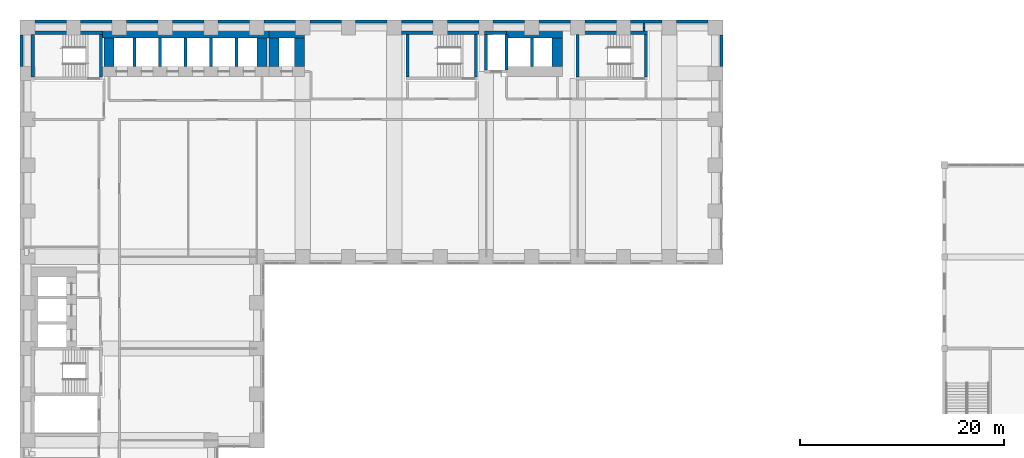
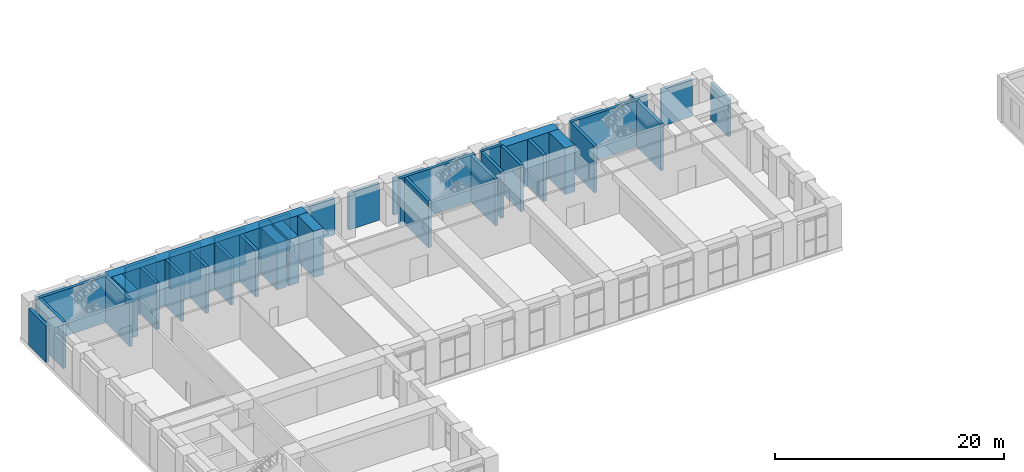
# One storey, part 24 of 34: 45 walls.
"""IFC4 building model written with IfcOpenShell, lengths in metres."""

from ifc_helpers import new_model, si_unit, direction, frame, frame_2d, origin, place, context, subcontext, project, spatial, rectangle, extrude, material, layer, layer_set, type_object, element, save


model = new_model("IFC4")

# Units and contexts
model_context = context("Model", 3, precision=1e-05, world=origin(), true_north=direction((0.0, 1.0)))
body_context = subcontext(model_context, "Body", "Model", "MODEL_VIEW")
ifc_project = project(units=[si_unit("LENGTHUNIT", "METRE"), si_unit("AREAUNIT", "SQUARE_METRE"), si_unit("VOLUMEUNIT", "CUBIC_METRE"), si_unit("PLANEANGLEUNIT", "RADIAN"), si_unit("MASSUNIT", "GRAM", prefix="KILO")], contexts=[model_context])

# Site, building, storey
site_placement = place(None, origin())
site = spatial("IfcSite", under=ifc_project, at=site_placement, CompositionType="ELEMENT")
building_placement = place(site_placement, origin())
building = spatial("IfcBuilding", under=site, at=building_placement, Name="Firuza Court", CompositionType="ELEMENT")
storey_placement = place(building_placement, frame((0.0, 0.0, 19.0)))
storey = spatial("IfcBuildingStorey", under=building, at=storey_placement, Name="L03", CompositionType="ELEMENT", Elevation=19.0)

# Walls
ifc_material_1 = material(Name="Concrete C60/75", Category="concrete")
ifc_layer_1 = layer(ifc_material_1, 1.0)
ifc_layer_set_1 = layer_set([ifc_layer_1], Name="Concrete C60/75")
wall_type_1 = type_object("IfcWallType", Name="Core wall 1000 C60/75", PredefinedType="SHEAR", material=ifc_layer_set_1)
wall_1_placement = place(storey_placement, frame((7.35009765625, 58.0, -0.39990234375), z_axis=(0.0, 0.0, 1.0), x_axis=(1.0, 0.0, 0.0)))
element("IfcWall", 1, at=wall_1_placement, inside=storey, type_object=wall_type_1, Name="Core wall lift shaft L03", PredefinedType="SHEAR", context=body_context, shape_type="SweptSolid", body=[
    extrude(rectangle(XDim=16.349853515625, YDim=1.0, at=frame_2d((8.1748046875, 0.0))), origin(), (0.0, 0.0, 1.0), 4.949951171875),
])
for number, where, z_axis, x_axis, name in (
    (2, (8.0, 54.699951171875, -0.39990234375), (0.0, 0.0, 1.0), (0.0, 1.0, 0.0), "Core wall lift shaft L03"),
    (3, (23.0, 54.699951171875, -0.39990234375), (0.0, 0.0, 1.0), (0.0, 1.0, 0.0), "Core wall lift shaft L03"),
):
    element("IfcWall", number, at=place(storey_placement, frame(where, z_axis=z_axis, x_axis=x_axis)), inside=storey, type_object=wall_type_1, Name=name, PredefinedType="SHEAR", context=body_context, shape_type="SweptSolid", body=[
        extrude(rectangle(XDim=2.800048828125, YDim=1.0, at=frame_2d((1.39990234375, 0.0))), origin(), (0.0, 0.0, 1.0), 4.949951171875),
    ])
wall_2_placement = place(storey_placement, frame((23.699951171875, 58.0, -0.39990234375), z_axis=(0.0, 0.0, 1.0), x_axis=(1.0, 0.0, 0.0)))
element("IfcWall", 4, at=wall_2_placement, inside=storey, type_object=wall_type_1, Name="Core wall lift shaft L03", PredefinedType="SHEAR", context=body_context, shape_type="SweptSolid", body=[
    extrude(rectangle(XDim=3.5, YDim=1.0, at=frame_2d((1.75, 0.0))), origin(), (0.0, 0.0, 1.0), 4.949951171875),
])
for number, where, z_axis, x_axis, name in (
    (5, (24.199951171875, 54.699951171875, -0.39990234375), (0.0, 0.0, 1.0), (0.0, 1.0, 0.0), "Core wall lift shaft L03"),
    (6, (26.699951171875, 54.699951171875, -0.39990234375), (0.0, 0.0, 1.0), (0.0, 1.0, 0.0), "Core wall lift shaft L03"),
):
    element("IfcWall", number, at=place(storey_placement, frame(where, z_axis=z_axis, x_axis=x_axis)), inside=storey, type_object=wall_type_1, Name=name, PredefinedType="SHEAR", context=body_context, shape_type="SweptSolid", body=[
        extrude(rectangle(XDim=2.800048828125, YDim=1.0, at=frame_2d((1.39990234375, 0.0))), origin(), (0.0, 0.0, 1.0), 4.949951171875),
    ])
wall_3_placement = place(storey_placement, frame((47.0, 58.0, -0.39990234375), z_axis=(0.0, 0.0, 1.0), x_axis=(1.0, 0.0, 0.0)))
element("IfcWall", 7, at=wall_3_placement, inside=storey, type_object=wall_type_1, Name="Core wall lift shaft L03", PredefinedType="SHEAR", context=body_context, shape_type="SweptSolid", body=[
    extrude(rectangle(XDim=5.5, YDim=1.0, at=frame_2d((2.75, 0.0))), origin(), (0.0, 0.0, 1.0), 4.949951171875),
])
wall_4_placement = place(storey_placement, frame((52.0, 54.699951171875, -0.39990234375), z_axis=(0.0, 0.0, 1.0), x_axis=(0.0, 1.0, 0.0)))
element("IfcWall", 8, at=wall_4_placement, inside=storey, type_object=wall_type_1, Name="Core wall lift shaft L03", PredefinedType="SHEAR", context=body_context, shape_type="SweptSolid", body=[
    extrude(rectangle(XDim=2.800048828125, YDim=1.0, at=frame_2d((1.39990234375, 0.0))), origin(), (0.0, 0.0, 1.0), 4.949951171875),
])
ifc_layer_2 = layer(ifc_material_1, 0.300048828125)
ifc_layer_set_2 = layer_set([ifc_layer_2], Name="Concrete C60/75")
wall_type_2 = type_object("IfcWallType", Name="Core wall 300 C60/75", PredefinedType="SHEAR", material=ifc_layer_set_2)
wall_5_placement = place(storey_placement, frame((0.35009765625, 58.0, -0.39990234375), z_axis=(0.0, 0.0, 1.0), x_axis=(1.0, 0.0, 0.0)))
element("IfcWall", 9, at=wall_5_placement, inside=storey, type_object=wall_type_2, Name="Core wall stair L03", PredefinedType="SHEAR", context=body_context, shape_type="SweptSolid", body=[
    extrude(rectangle(XDim=7.0, YDim=0.300048828125, at=frame_2d((3.5, 0.0))), origin(), (0.0, 0.0, 1.0), 4.949951171875),
])
for number, where, z_axis, x_axis, name in (
    (10, (0.5, 53.64990234375, -0.39990234375), (0.0, 0.0, 1.0), (0.0, 1.0, 0.0), "Core wall stair L03"),
    (11, (7.199951171875, 53.64990234375, -0.39990234375), (0.0, 0.0, 1.0), (0.0, 1.0, 0.0), "Core wall stair L03"),
):
    element("IfcWall", number, at=place(storey_placement, frame(where, z_axis=z_axis, x_axis=x_axis)), inside=storey, type_object=wall_type_2, Name=name, PredefinedType="SHEAR", context=body_context, shape_type="SweptSolid", body=[
        extrude(rectangle(XDim=4.2001953125, YDim=0.300048828125, at=frame_2d((2.10009765625, 0.0))), origin(), (0.0, 0.0, 1.0), 4.949951171875),
    ])
for number, where, z_axis, x_axis, name in (
    (12, (10.5, 54.699951171875, -0.39990234375), (0.0, 0.0, 1.0), (0.0, 1.0, 0.0), "Core wall lift shaft L03"),
    (13, (13.0, 54.699951171875, -0.39990234375), (0.0, 0.0, 1.0), (0.0, 1.0, 0.0), "Core wall lift shaft L03"),
    (14, (15.5, 54.699951171875, -0.39990234375), (0.0, 0.0, 1.0), (0.0, 1.0, 0.0), "Core wall lift shaft L03"),
    (15, (18.0, 54.699951171875, -0.39990234375), (0.0, 0.0, 1.0), (0.0, 1.0, 0.0), "Core wall lift shaft L03"),
    (16, (20.5, 54.699951171875, -0.39990234375), (0.0, 0.0, 1.0), (0.0, 1.0, 0.0), "Core wall lift shaft L03"),
):
    element("IfcWall", number, at=place(storey_placement, frame(where, z_axis=z_axis, x_axis=x_axis)), inside=storey, type_object=wall_type_2, Name=name, PredefinedType="SHEAR", context=body_context, shape_type="SweptSolid", body=[
        extrude(rectangle(XDim=2.800048828125, YDim=0.300048828125, at=frame_2d((1.39990234375, 0.0))), origin(), (0.0, 0.0, 1.0), 4.949951171875),
    ])
wall_6_placement = place(storey_placement, frame((36.699951171875, 58.0, -0.39990234375), z_axis=(0.0, 0.0, 1.0), x_axis=(1.0, 0.0, 0.0)))
element("IfcWall", 17, at=wall_6_placement, inside=storey, type_object=wall_type_2, Name="Core wall stair L03", PredefinedType="SHEAR", context=body_context, shape_type="SweptSolid", body=[
    extrude(rectangle(XDim=7.60009765625, YDim=0.300048828125, at=frame_2d((3.800048828125, 0.0))), origin(), (0.0, 0.0, 1.0), 4.949951171875),
])
for number, where, z_axis, x_axis, name in (
    (18, (37.300048828125, 53.64990234375, -0.39990234375), (0.0, 0.0, 1.0), (0.0, 1.0, 0.0), "Core wall stair L03"),
    (19, (44.0, 53.64990234375, -0.39990234375), (0.0, 0.0, 1.0), (0.0, 1.0, 0.0), "Core wall stair L03"),
):
    element("IfcWall", number, at=place(storey_placement, frame(where, z_axis=z_axis, x_axis=x_axis)), inside=storey, type_object=wall_type_2, Name=name, PredefinedType="SHEAR", context=body_context, shape_type="SweptSolid", body=[
        extrude(rectangle(XDim=4.2001953125, YDim=0.300048828125, at=frame_2d((2.10009765625, 0.0))), origin(), (0.0, 0.0, 1.0), 4.949951171875),
    ])
wall_7_placement = place(storey_placement, frame((44.85009765625, 58.0, -0.39990234375), z_axis=(0.0, 0.0, 1.0), x_axis=(1.0, 0.0, 0.0)))
element("IfcWall", 20, at=wall_7_placement, inside=storey, type_object=wall_type_2, Name="Core wall riser L03", PredefinedType="SHEAR", context=body_context, shape_type="SweptSolid", body=[
    extrude(rectangle(XDim=2.14990234375, YDim=0.300048828125, at=frame_2d((1.074951171875, 0.0))), origin(), (0.0, 0.0, 1.0), 4.949951171875),
])
for number, where, z_axis, x_axis, name in (
    (21, (45.0, 54.35009765625, -0.39990234375), (0.0, 0.0, 1.0), (0.0, 1.0, 0.0), "Core wall riser L03"),
    (22, (47.0, 54.35009765625, -0.39990234375), (0.0, 0.0, 1.0), (0.0, 1.0, 0.0), "Core wall lift shaft L03"),
):
    element("IfcWall", number, at=place(storey_placement, frame(where, z_axis=z_axis, x_axis=x_axis)), inside=storey, type_object=wall_type_2, Name=name, PredefinedType="SHEAR", context=body_context, shape_type="SweptSolid", body=[
        extrude(rectangle(XDim=3.5, YDim=0.300048828125, at=frame_2d((1.75, 0.0))), origin(), (0.0, 0.0, 1.0), 4.949951171875),
    ])
wall_8_placement = place(storey_placement, frame((49.5, 54.699951171875, -0.39990234375), z_axis=(0.0, 0.0, 1.0), x_axis=(0.0, 1.0, 0.0)))
element("IfcWall", 23, at=wall_8_placement, inside=storey, type_object=wall_type_2, Name="Core wall lift shaft L03", PredefinedType="SHEAR", context=body_context, shape_type="SweptSolid", body=[
    extrude(rectangle(XDim=2.800048828125, YDim=0.300048828125, at=frame_2d((1.39990234375, 0.0))), origin(), (0.0, 0.0, 1.0), 4.949951171875),
])
wall_9_placement = place(storey_placement, frame((53.85009765625, 58.0, -0.39990234375), z_axis=(0.0, 0.0, 1.0), x_axis=(1.0, 0.0, 0.0)))
element("IfcWall", 24, at=wall_9_placement, inside=storey, type_object=wall_type_2, Name="Core wall stair L03", PredefinedType="SHEAR", context=body_context, shape_type="SweptSolid", body=[
    extrude(rectangle(XDim=7.0, YDim=0.300048828125, at=frame_2d((3.5, 0.0))), origin(), (0.0, 0.0, 1.0), 4.949951171875),
])
for number, where, z_axis, x_axis, name in (
    (25, (54.0, 53.64990234375, -0.39990234375), (0.0, 0.0, 1.0), (0.0, 1.0, 0.0), "Core wall stair L03"),
    (26, (60.699951171875, 53.64990234375, -0.39990234375), (0.0, 0.0, 1.0), (0.0, 1.0, 0.0), "Core wall stair L03"),
):
    element("IfcWall", number, at=place(storey_placement, frame(where, z_axis=z_axis, x_axis=x_axis)), inside=storey, type_object=wall_type_2, Name=name, PredefinedType="SHEAR", context=body_context, shape_type="SweptSolid", body=[
        extrude(rectangle(XDim=4.2001953125, YDim=0.300048828125, at=frame_2d((2.10009765625, 0.0))), origin(), (0.0, 0.0, 1.0), 4.949951171875),
    ])
ifc_material_2 = material(Name="Blockwork, fire-rated", Category="masonry")
ifc_layer_3 = layer(ifc_material_2, 0.199951171875)
ifc_layer_set_3 = layer_set([ifc_layer_3], Name="Blockwork, fire-rated")
wall_type_3 = type_object("IfcWallType", Name="Plant room wall 200", PredefinedType="PARTITIONING", material=ifc_layer_set_3)
wall_10_placement = place(storey_placement, frame((60.5, 58.5, 0.0), z_axis=(0.0, 0.0, 1.0), x_axis=(0.0, -1.0, 0.0)))
element("IfcWall", 27, at=wall_10_placement, inside=storey, type_object=wall_type_3, Name="Plant room wall 200 L03", PredefinedType="PARTITIONING", context=body_context, shape_type="SweptSolid", body=[
    extrude(rectangle(XDim=0.35009765625, YDim=0.199951171875, at=frame_2d((0.175048828125, 0.0))), origin(), (0.0, 0.0, 1.0), 4.550048828125),
])
wall_11_placement = place(storey_placement, frame((60.5, 58.949951171875, 0.0), z_axis=(0.0, 0.0, 1.0), x_axis=(0.0, -1.0, 0.0)))
element("IfcWall", 28, at=wall_11_placement, inside=storey, type_object=wall_type_3, Name="Plant room wall 200 L03", PredefinedType="PARTITIONING", context=body_context, shape_type="SweptSolid", body=[
    extrude(rectangle(XDim=0.449951171875, YDim=0.199951171875, at=frame_2d((0.22509765625, 0.0))), origin(), (0.0, 0.0, 1.0), 4.550048828125),
])
ifc_material_3 = material(Name="Ceramic tile", Category="ceramic")
ifc_layer_4 = layer(ifc_material_3, 0.02001953125)
ifc_material_4 = material(Name="Mineral wool insulation", Category="insulation")
ifc_layer_5 = layer(ifc_material_4, 0.1298828125)
ifc_material_5 = material(Name="Concrete C40/50 precast", Category="concrete")
ifc_layer_6 = layer(ifc_material_5, 0.14990234375)
ifc_layer_set_4 = layer_set([ifc_layer_4, ifc_layer_5, ifc_layer_6], Name="Concrete C40/50 precast")
wall_type_4 = type_object("IfcWallType", Name="Precast spandrel wall with turquoise TILE PANEL face 300", PredefinedType="STANDARD", material=ifc_layer_set_4)
for number, where, z_axis, x_axis, name in (
    (29, (68.10009765625, 54.699951171875, 0.0), (0.0, 0.0, 1.0), (0.0, 1.0, 0.0), "Facade wall L03 E"),
    (30, (66.800048828125, 59.10009765625, 0.0), (0.0, 0.0, 1.0), (-1.0, 0.0, 0.0), "Facade wall L03 N"),
    (31, (62.300048828125, 59.10009765625, 0.0), (0.0, 0.0, 1.0), (-1.0, 0.0, 0.0), "Facade wall L03 N"),
    (32, (57.800048828125, 59.10009765625, 0.0), (0.0, 0.0, 1.0), (-1.0, 0.0, 0.0), "Facade wall L03 N"),
    (33, (53.300048828125, 59.10009765625, 0.0), (0.0, 0.0, 1.0), (-1.0, 0.0, 0.0), "Facade wall L03 N"),
    (34, (48.800048828125, 59.10009765625, 0.0), (0.0, 0.0, 1.0), (-1.0, 0.0, 0.0), "Facade wall L03 N"),
    (35, (44.300048828125, 59.10009765625, 0.0), (0.0, 0.0, 1.0), (-1.0, 0.0, 0.0), "Facade wall L03 N"),
    (36, (39.800048828125, 59.10009765625, 0.0), (0.0, 0.0, 1.0), (-1.0, 0.0, 0.0), "Facade wall L03 N"),
    (37, (35.300048828125, 59.10009765625, 0.0), (0.0, 0.0, 1.0), (-1.0, 0.0, 0.0), "Facade wall L03 N"),
    (38, (30.800048828125, 59.10009765625, 0.0), (0.0, 0.0, 1.0), (-1.0, 0.0, 0.0), "Facade wall L03 N"),
    (39, (26.300048828125, 59.10009765625, 0.0), (0.0, 0.0, 1.0), (-1.0, 0.0, 0.0), "Facade wall L03 N"),
    (40, (21.800048828125, 59.10009765625, 0.0), (0.0, 0.0, 1.0), (-1.0, 0.0, 0.0), "Facade wall L03 N"),
    (41, (17.300048828125, 59.10009765625, 0.0), (0.0, 0.0, 1.0), (-1.0, 0.0, 0.0), "Facade wall L03 N"),
    (42, (12.800048828125, 59.10009765625, 0.0), (0.0, 0.0, 1.0), (-1.0, 0.0, 0.0), "Facade wall L03 N"),
    (43, (8.300048828125, 59.10009765625, 0.0), (0.0, 0.0, 1.0), (-1.0, 0.0, 0.0), "Facade wall L03 N"),
    (44, (3.800048828125, 59.10009765625, 0.0), (0.0, 0.0, 1.0), (-1.0, 0.0, 0.0), "Facade wall L03 N"),
    (45, (-0.60009765625, 57.800048828125, 0.0), (0.0, 0.0, 1.0), (0.0, -1.0, 0.0), "Facade wall L03 W"),
):
    element("IfcWall", number, at=place(storey_placement, frame(where, z_axis=z_axis, x_axis=x_axis)), inside=storey, type_object=wall_type_4, Name=name, PredefinedType="STANDARD", context=body_context, shape_type="SweptSolid", body=[
        extrude(rectangle(XDim=3.10009765625, YDim=0.300048828125, at=frame_2d((1.550048828125, 0.0))), origin(), (0.0, 0.0, 1.0), 3.89990234375),
    ])

save(model, "model.ifc")
